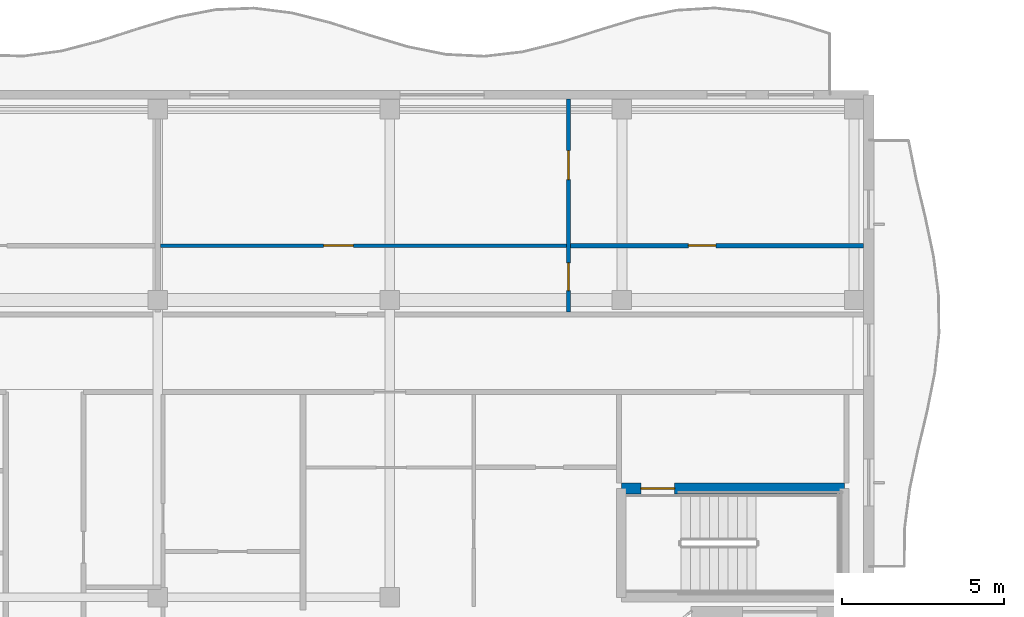
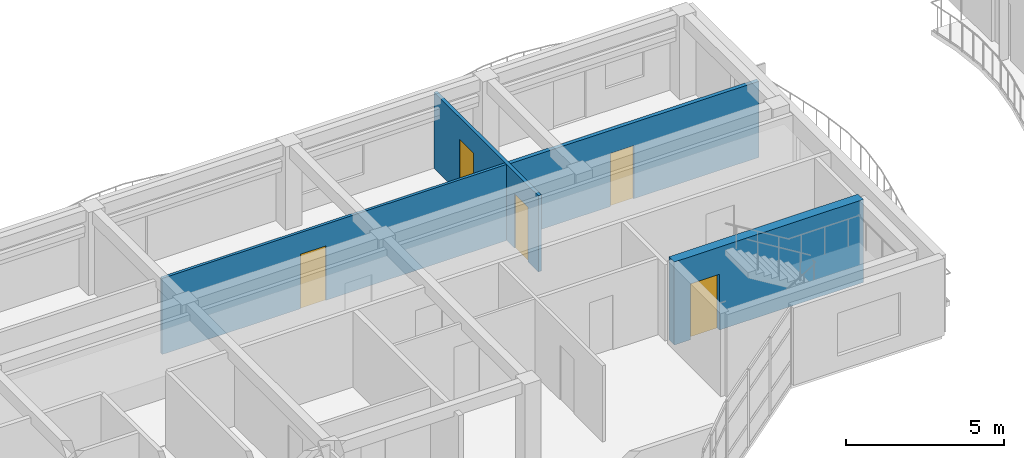
# One storey, part 42 of 76: 5 doors, 4 walls, 5 openings.
"""IFC4 building model written with IfcOpenShell, lengths in metres."""

import ifcopenshell
import ifcopenshell.guid

model = None  # the IFC model being written
_history = None  # IfcOwnerHistory: only IFC2X3 demands one
_inside = {}  # id of a spatial element -> (the spatial element, [elements in it])
_under = {}  # id of a project, library or spatial element -> (it, [spatial elements below it])
_declared = {}  # id of a project -> (the project, [libraries it declares])
_typed = {}  # id of a type object -> (the type object, [elements of that type])
_made_of = {}  # id of a material, layer set ... -> (it, [elements and type objects made of it])


def new_model(schema):
    """Start an empty IFC model of exactly this schema.

    Asked for "IFC4X3", IfcOpenShell would pick the latest addendum, in which some entities
    have other attributes; the version numbers below select the first issue.
    IFC2X3 requires an IfcOwnerHistory on every rooted entity: one is made here for all.
    """
    global model, _history
    if schema == "IFC4X3":
        model = ifcopenshell.file(schema_version=(4, 3, 0, 0))
    else:
        model = ifcopenshell.file(schema=schema)
    _inside.clear()
    _under.clear()
    _declared.clear()
    _typed.clear()
    _made_of.clear()
    _history = None
    if model.schema == "IFC2X3":
        org = make("IfcOrganization", Name="unknown")
        user = make(
            "IfcPersonAndOrganization",
            ThePerson=make("IfcPerson", FamilyName="unknown"),
            TheOrganization=org,
        )
        app = make(
            "IfcApplication",
            ApplicationDeveloper=org,
            Version="unknown",
            ApplicationFullName="unknown",
            ApplicationIdentifier="unknown",
        )
        _history = make(
            "IfcOwnerHistory",
            OwningUser=user,
            OwningApplication=app,
            ChangeAction="ADDED",
            CreationDate=0,
        )
    return model


def make(cls, **values):
    """One entity of the class cls with the attributes given. An attribute that is None is left unset."""
    return model.create_entity(
        cls, **{name: value for name, value in values.items() if value is not None}
    )


def rooted(cls, **values):
    """An entity with a GlobalId (a new one), such as an element, a storey or a relation."""
    return make(cls, GlobalId=ifcopenshell.guid.new(), OwnerHistory=_history, **values)


def si_unit(unit_type, name, prefix=None):
    """IfcSIUnit, for example si_unit("LENGTHUNIT", "METRE", prefix="MILLI")."""
    return make("IfcSIUnit", UnitType=unit_type, Prefix=prefix, Name=name)


def assignment(units):
    """IfcUnitAssignment: the units of a project."""
    return None if units is None else make("IfcUnitAssignment", Units=units)


def point(xyz):
    """IfcCartesianPoint."""
    return None if xyz is None else make("IfcCartesianPoint", Coordinates=xyz)


def direction(xyz):
    """IfcDirection."""
    return None if xyz is None else make("IfcDirection", DirectionRatios=xyz)


def frame(location, z_axis=None, x_axis=None):
    """IfcAxis2Placement3D, a coordinate frame: its origin and axes. An axis left out is left unset."""
    return make(
        "IfcAxis2Placement3D",
        Location=point(location),
        Axis=direction(z_axis),
        RefDirection=direction(x_axis),
    )


def frame_2d(location, x_axis=None):
    """IfcAxis2Placement2D, a coordinate frame in the plane: its origin and x axis."""
    return make(
        "IfcAxis2Placement2D", Location=point(location), RefDirection=direction(x_axis)
    )


def origin():
    """The frame at (0, 0, 0) with its axes left unset."""
    return frame((0.0, 0.0, 0.0))


def place(relative_to, where):
    """IfcLocalPlacement: puts the frame where relative to a parent placement (None: the world)."""
    return make(
        "IfcLocalPlacement", PlacementRelTo=relative_to, RelativePlacement=where
    )


def context(
    kind, dimensions, precision=None, world=None, true_north=None, identifier=None
):
    """IfcGeometricRepresentationContext, for example the 3D "Model" context."""
    return make(
        "IfcGeometricRepresentationContext",
        ContextIdentifier=identifier,
        ContextType=kind,
        CoordinateSpaceDimension=dimensions,
        Precision=precision,
        WorldCoordinateSystem=world,
        TrueNorth=true_north,
    )


def subcontext(parent, identifier, kind, view, scale=None):
    """IfcGeometricRepresentationSubContext, for example "Body" below "Model"."""
    return make(
        "IfcGeometricRepresentationSubContext",
        ContextIdentifier=identifier,
        ContextType=kind,
        ParentContext=parent,
        TargetScale=scale,
        TargetView=view,
    )


def project(units=None, contexts=None):
    """IfcProject with its units and contexts."""
    return rooted(
        "IfcProject",
        Name="project",
        RepresentationContexts=contexts,
        UnitsInContext=assignment(units),
    )


def spatial(cls, under=None, at=None, **own):
    """A site, building, storey or space (cls), placed at a placement, below another one or the project."""
    s = rooted(cls, ObjectPlacement=at, **own)
    if under is not None:
        _under.setdefault(under.id(), (under, []))[1].append(s)
    return s


def profile(cls, at=None, kind="AREA", **sizes):
    """A parametric profile (cls). Its sizes go by their IFC names, for example OverallWidth=200.0."""
    return make(cls, ProfileType=kind, Position=at, **sizes)


def rectangle(**sizes):
    """IfcRectangleProfileDef."""
    return profile("IfcRectangleProfileDef", **sizes)


def extrude(swept, where, along, depth):
    """IfcExtrudedAreaSolid: the profile swept, set in the frame where, extruded along a direction by depth."""
    return make(
        "IfcExtrudedAreaSolid",
        SweptArea=swept,
        Position=where,
        ExtrudedDirection=direction(along),
        Depth=depth,
    )


def shape(context_of_items, identifier, shape_type, items):
    """IfcShapeRepresentation: the items that make up one representation, for example the "Body"."""
    return make(
        "IfcShapeRepresentation",
        ContextOfItems=context_of_items,
        RepresentationIdentifier=identifier,
        RepresentationType=shape_type,
        Items=items,
    )


def material(Name=None, Category=None):
    """IfcMaterial."""
    return make("IfcMaterial", Name=Name, Category=Category)


def layer(
    of_material, thickness, ventilated=None, Name=None, Category=None, Priority=None
):
    """IfcMaterialLayer: one layer of a wall or slab, of a material (None: an air gap)."""
    return make(
        "IfcMaterialLayer",
        Material=of_material,
        LayerThickness=thickness,
        IsVentilated=ventilated,
        Name=Name,
        Category=Category,
        Priority=Priority,
    )


def layer_set(layers, Name=None):
    """IfcMaterialLayerSet."""
    return make("IfcMaterialLayerSet", MaterialLayers=layers, LayerSetName=Name)


def made_of(thing, what):
    """Note that an element or type object is made of a material, layer set ...; save() writes the relation."""
    if what is not None:
        _made_of.setdefault(what.id(), (what, []))[1].append(thing)
    return thing


def type_object(cls, material=None, **own):
    """A type object (cls), such as IfcWallType, which elements share."""
    return made_of(rooted(cls, **own), material)


def element(
    cls,
    number,
    at=None,
    inside=None,
    cuts=None,
    type_object=None,
    material=None,
    context=None,
    identifier="Body",
    shape_type=None,
    held_by="IfcProductDefinitionShape",
    body=None,
    shapes=None,
    **own,
):
    """One element of the class cls, such as IfcWall. Its Tag is "e" and its number.

    at: its placement. inside: the storey or other place that contains it. cuts: it is an
    opening in that element (IfcRelVoidsElement). A single representation is given by context,
    identifier, shape_type and body (its items); several are given by shapes. held_by: the class
    of the entity that holds the representations. save() writes the other relations.
    """
    e = rooted(cls, Tag="e%d" % number, ObjectPlacement=at, **own)
    if body is not None:
        shapes = [shape(context, identifier, shape_type, body)]
    if shapes is not None:
        e.Representation = make(held_by, Representations=shapes)
    if inside is not None:
        _inside.setdefault(inside.id(), (inside, []))[1].append(e)
    if cuts is not None:
        rooted(
            "IfcRelVoidsElement", RelatingBuildingElement=cuts, RelatedOpeningElement=e
        )
    if type_object is not None:
        _typed.setdefault(type_object.id(), (type_object, []))[1].append(e)
    return made_of(e, material)


def fill(opening, filler):
    """IfcRelFillsElement: the door or window that sits in an opening."""
    return rooted(
        "IfcRelFillsElement",
        RelatingOpeningElement=opening,
        RelatedBuildingElement=filler,
    )


def aggregate(whole, parts):
    """IfcRelAggregates: a whole, such as a stair, and the parts it consists of."""
    return rooted("IfcRelAggregates", RelatingObject=whole, RelatedObjects=parts)


def save(model, path):
    """Write the relations noted so far, then the file.

    IfcRelAggregates (storeys below a building ...), IfcRelContainedInSpatialStructure (elements
    in a storey), IfcRelDefinesByType, IfcRelAssociatesMaterial and IfcRelDeclares: one each for
    every whole, place, type object, material and project.
    """
    for whole, parts in _under.values():
        aggregate(whole, parts)
    for where, things in _inside.values():
        rooted(
            "IfcRelContainedInSpatialStructure",
            RelatedElements=things,
            RelatingStructure=where,
        )
    for kind, things in _typed.values():
        rooted("IfcRelDefinesByType", RelatedObjects=things, RelatingType=kind)
    for what, things in _made_of.values():
        rooted("IfcRelAssociatesMaterial", RelatedObjects=things, RelatingMaterial=what)
    for by, libraries in _declared.values():
        rooted("IfcRelDeclares", RelatingContext=by, RelatedDefinitions=libraries)
    model.write(path)


model = new_model("IFC4")

# Units and contexts
model_context = context("Model", 3, precision=1e-05, world=origin(), true_north=direction((0.0, 1.0)))
body_context = subcontext(model_context, "Body", "Model", "MODEL_VIEW")
ifc_project = project(units=[si_unit("LENGTHUNIT", "METRE"), si_unit("AREAUNIT", "SQUARE_METRE"), si_unit("VOLUMEUNIT", "CUBIC_METRE"), si_unit("PLANEANGLEUNIT", "RADIAN"), si_unit("MASSUNIT", "GRAM", prefix="KILO")], contexts=[model_context])

# Site, building, storey
site_placement = place(None, origin())
site = spatial("IfcSite", under=ifc_project, at=site_placement, CompositionType="ELEMENT")
building_placement = place(site_placement, origin())
building = spatial("IfcBuilding", under=site, at=building_placement, Name="Keldmere Railside Commons", CompositionType="ELEMENT")
storey_placement = place(building_placement, frame((0.0, 0.0, 13.760009765625)))
storey = spatial("IfcBuildingStorey", under=building, at=storey_placement, Name="L04", CompositionType="ELEMENT", Elevation=13.760009765625)

# Wall, openings, doors
ifc_material_1 = material(Name="Acoustic Gypsum Board Partition", Category="gypsum")
ifc_layer_1 = layer(ifc_material_1, 0.1201171875, Name="Apartment Interior Partition 120")
ifc_layer_set_1 = layer_set([ifc_layer_1], Name="Acoustic Gypsum Board Partition")
wall_type_1 = type_object("IfcWallType", Name="Apartment Interior Partition 120", PredefinedType="PARTITIONING", material=ifc_layer_set_1)
wall_1_placement = place(storey_placement, frame((128.2099609375, 109.280029296875, 0.0), z_axis=(0.0, 0.0, 1.0), x_axis=(0.0, 1.0, 0.0)))
wall_1 = element("IfcWall", 1, at=wall_1_placement, inside=storey, type_object=wall_type_1, Name="IW-4 IW-L04-1081", PredefinedType="PARTITIONING", context=body_context, shape_type="SweptSolid", body=[
    extrude(rectangle(XDim=6.590087890625, YDim=0.1201171875, at=frame_2d((3.294921875, 0.0))), origin(), (0.0, 0.0, 1.0), 2.93505859375),
])
opening_1_placement = place(wall_1_placement, frame((0.656005859375, 0.0, 0.0)))
opening_1 = element("IfcOpeningElement", 2, at=opening_1_placement, cuts=wall_1, Name="Opening ID-04", PredefinedType="OPENING", context=body_context, shape_type="SweptSolid", body=[
    extrude(rectangle(XDim=0.860107421875, YDim=2.10009765625, at=frame_2d((0.43017578125, 1.050048828125))), frame((0.0, 0.070068359375, 0.0), z_axis=(0.0, -1.0, 0.0), x_axis=(1.0, 0.0, 0.0)), (0.0, 0.0, 1.0), 0.14013671875),
])
opening_2_placement = place(wall_1_placement, frame((4.093017578125, 0.0, 0.0)))
opening_2 = element("IfcOpeningElement", 3, at=opening_2_placement, cuts=wall_1, Name="Opening ID-01", PredefinedType="OPENING", context=body_context, shape_type="SweptSolid", body=[
    extrude(rectangle(XDim=0.89990234375, YDim=2.10009765625, at=frame_2d((0.449951171875, 1.050048828125))), frame((0.0, 0.070068359375, 0.0), z_axis=(0.0, -1.0, 0.0), x_axis=(1.0, 0.0, 0.0)), (0.0, 0.0, 1.0), 0.14013671875),
])
ifc_material_2 = material(Name="Engineered Oak Timber", Category="wood")
door_type_1 = type_object("IfcDoorType", Name="Apartment Bathroom Door 860x2100", OperationType="NOTDEFINED", PredefinedType="DOOR", material=ifc_material_2)
door_1_placement = place(opening_1_placement, origin())
door_1 = element("IfcDoor", 4, at=door_1_placement, inside=storey, type_object=door_type_1, Name="ID-04 IDR-L04-0951", OperationType="SINGLE_SWING_LEFT", OverallHeight=2.10009765625, OverallWidth=0.860107421875, PredefinedType="DOOR", context=body_context, shape_type="SweptSolid", body=[
    extrude(rectangle(XDim=0.860107421875, YDim=2.10009765625, at=frame_2d((0.43017578125, 1.050048828125))), frame((0.0, 0.02490234375, 0.0), z_axis=(0.0, -1.0, 0.0), x_axis=(1.0, 0.0, 0.0)), (0.0, 0.0, 1.0), 0.050048828125),
])
fill(opening_1, door_1)
door_type_2 = type_object("IfcDoorType", Name="Primary Bedroom Door 900x2100", OperationType="NOTDEFINED", PredefinedType="DOOR", material=ifc_material_2)
door_2_placement = place(opening_2_placement, origin())
door_2 = element("IfcDoor", 5, at=door_2_placement, inside=storey, type_object=door_type_2, Name="ID-01 IDR-L04-0952", OperationType="SINGLE_SWING_RIGHT", OverallHeight=2.10009765625, OverallWidth=0.89990234375, PredefinedType="DOOR", context=body_context, shape_type="SweptSolid", body=[
    extrude(rectangle(XDim=0.89990234375, YDim=2.10009765625, at=frame_2d((0.449951171875, 1.050048828125))), frame((0.0, 0.02490234375, 0.0), z_axis=(0.0, -1.0, 0.0), x_axis=(1.0, 0.0, 0.0)), (0.0, 0.0, 1.0), 0.050048828125),
])
fill(opening_2, door_2)

# Wall, opening, door
ifc_layer_2 = layer(ifc_material_1, 0.10009765625, Name="Closet Light Partition 100")
ifc_layer_set_2 = layer_set([ifc_layer_2], Name="Acoustic Gypsum Board Partition")
wall_type_2 = type_object("IfcWallType", Name="Closet Light Partition 100", PredefinedType="PARTITIONING", material=ifc_layer_set_2)
wall_2_placement = place(storey_placement, frame((115.590087890625, 111.330078125, 0.0), z_axis=(0.0, 0.0, 1.0), x_axis=(1.0, 0.0, 0.0)))
wall_2 = element("IfcWall", 6, at=wall_2_placement, inside=storey, type_object=wall_type_2, Name="IW-6 IW-L04-1083", PredefinedType="PARTITIONING", context=body_context, shape_type="SweptSolid", body=[
    extrude(rectangle(XDim=12.559814453125, YDim=0.10009765625, at=frame_2d((6.27978515625, 0.0))), origin(), (0.0, 0.0, 1.0), 2.93505859375),
])
opening_3_placement = place(wall_2_placement, frame((5.048095703125, 0.0, 0.0)))
opening_3 = element("IfcOpeningElement", 7, at=opening_3_placement, cuts=wall_2, Name="Opening ID-03", PredefinedType="OPENING", context=body_context, shape_type="SweptSolid", body=[
    extrude(rectangle(XDim=0.919921875, YDim=2.10009765625, at=frame_2d((0.4599609375, 1.050048828125))), frame((0.0, 0.06005859375, 0.0), z_axis=(0.0, -1.0, 0.0), x_axis=(1.0, 0.0, 0.0)), (0.0, 0.0, 1.0), 0.1201171875),
])
door_type_3 = type_object("IfcDoorType", Name="Kitchen Pocket-Frame Swing Door 920x2100", OperationType="NOTDEFINED", PredefinedType="DOOR", material=ifc_material_2)
door_3_placement = place(opening_3_placement, origin())
door_3 = element("IfcDoor", 8, at=door_3_placement, inside=storey, type_object=door_type_3, Name="ID-03 IDR-L04-0950", OperationType="SINGLE_SWING_RIGHT", OverallHeight=2.10009765625, OverallWidth=0.919921875, PredefinedType="DOOR", context=body_context, shape_type="SweptSolid", body=[
    extrude(rectangle(XDim=0.919921875, YDim=2.10009765625, at=frame_2d((0.4599609375, 1.050048828125))), frame((0.0, 0.02490234375, 0.0), z_axis=(0.0, -1.0, 0.0), x_axis=(1.0, 0.0, 0.0)), (0.0, 0.0, 1.0), 0.050048828125),
])
fill(opening_3, door_3)

ifc_material_3 = material(Name="Concrete H-35 (C35/45)", Category="concrete")
ifc_layer_3 = layer(ifc_material_3, 0.340087890625, Name="Interior Shear Wall 340")
ifc_layer_set_3 = layer_set([ifc_layer_3], Name="Concrete H-35 (C35/45)")
wall_type_3 = type_object("IfcWallType", Name="Interior Shear Wall 340", PredefinedType="SHEAR", material=ifc_layer_set_3)
wall_3_placement = place(storey_placement, frame((136.75, 103.820068359375, 0.0), z_axis=(0.0, 0.0, 1.0), x_axis=(-1.0, 0.0, 0.0)))
wall_3 = element("IfcWall", 9, at=wall_3_placement, inside=storey, type_object=wall_type_3, Name="ISW-1 COREB2N-L04-0489", PredefinedType="SHEAR", context=body_context, shape_type="SweptSolid", body=[
    extrude(rectangle(XDim=6.89990234375, YDim=0.340087890625, at=frame_2d((3.449951171875, 0.0))), origin(), (0.0, 0.0, 1.0), 3.199951171875),
])
opening_4_placement = place(wall_3_placement, frame((5.25, 0.0, 0.0)))
opening_4 = element("IfcOpeningElement", 10, at=opening_4_placement, cuts=wall_3, Name="Opening FD-1", PredefinedType="OPENING", context=body_context, shape_type="SweptSolid", body=[
    extrude(rectangle(XDim=1.050048828125, YDim=2.14990234375, at=frame_2d((0.52490234375, 1.074951171875))), frame((0.0, 0.179931640625, 0.0), z_axis=(0.0, -1.0, 0.0), x_axis=(1.0, 0.0, 0.0)), (0.0, 0.0, 1.0), 0.360107421875),
])
ifc_material_4 = material(Name="Steel F-24 (S235)", Category="steel")
door_type_4 = type_object("IfcDoorType", Name="Stair Core Fire Door 1050x2150", OperationType="NOTDEFINED", PredefinedType="DOOR", material=ifc_material_4)
door_4_placement = place(opening_4_placement, origin())
door_4 = element("IfcDoor", 11, at=door_4_placement, inside=storey, type_object=door_type_4, Name="FD-1 B2 L04", OperationType="SINGLE_SWING_RIGHT", OverallHeight=2.14990234375, OverallWidth=1.050048828125, PredefinedType="DOOR", context=body_context, shape_type="SweptSolid", body=[
    extrude(rectangle(XDim=1.050048828125, YDim=2.14990234375, at=frame_2d((0.52490234375, 1.074951171875))), frame((0.0, 0.02490234375, 0.0), z_axis=(0.0, -1.0, 0.0), x_axis=(1.0, 0.0, 0.0)), (0.0, 0.0, 1.0), 0.050048828125),
])
fill(opening_4, door_4)

ifc_layer_4 = layer(ifc_material_1, 0.139892578125, Name="Wet-Room Sanitary Partition 140")
ifc_layer_set_4 = layer_set([ifc_layer_4], Name="Acoustic Gypsum Board Partition")
wall_type_4 = type_object("IfcWallType", Name="Wet-Room Sanitary Partition 140", PredefinedType="PARTITIONING", material=ifc_layer_set_4)
wall_4_placement = place(storey_placement, frame((128.27001953125, 111.330078125, 0.0), z_axis=(0.0, 0.0, 1.0), x_axis=(1.0, 0.0, 0.0)))
wall_4 = element("IfcWall", 12, at=wall_4_placement, inside=storey, type_object=wall_type_4, Name="IW-5 IW-L04-1082", PredefinedType="PARTITIONING", context=body_context, shape_type="SweptSolid", body=[
    extrude(rectangle(XDim=9.070068359375, YDim=0.139892578125, at=frame_2d((4.53515625, 0.0))), origin(), (0.0, 0.0, 1.0), 2.93505859375),
])
opening_5_placement = place(wall_4_placement, frame((3.652099609375, 0.0, 0.0)))
opening_5 = element("IfcOpeningElement", 13, at=opening_5_placement, cuts=wall_4, Name="Opening ID-06", PredefinedType="OPENING", context=body_context, shape_type="SweptSolid", body=[
    extrude(rectangle(XDim=0.85009765625, YDim=2.050048828125, at=frame_2d((0.425048828125, 1.02490234375))), frame((0.0, 0.079833984375, 0.0), z_axis=(0.0, -1.0, 0.0), x_axis=(1.0, 0.0, 0.0)), (0.0, 0.0, 1.0), 0.159912109375),
])
door_type_5 = type_object("IfcDoorType", Name="Storage Closet Door 850x2050", OperationType="NOTDEFINED", PredefinedType="DOOR", material=ifc_material_2)
door_5_placement = place(opening_5_placement, origin())
door_5 = element("IfcDoor", 14, at=door_5_placement, inside=storey, type_object=door_type_5, Name="ID-06 IDR-L04-0953", OperationType="SINGLE_SWING_LEFT", OverallHeight=2.050048828125, OverallWidth=0.85009765625, PredefinedType="DOOR", context=body_context, shape_type="SweptSolid", body=[
    extrude(rectangle(XDim=0.85009765625, YDim=2.050048828125, at=frame_2d((0.425048828125, 1.02490234375))), frame((0.0, 0.02490234375, 0.0), z_axis=(0.0, -1.0, 0.0), x_axis=(1.0, 0.0, 0.0)), (0.0, 0.0, 1.0), 0.050048828125),
])
fill(opening_5, door_5)

save(model, "model.ifc")
